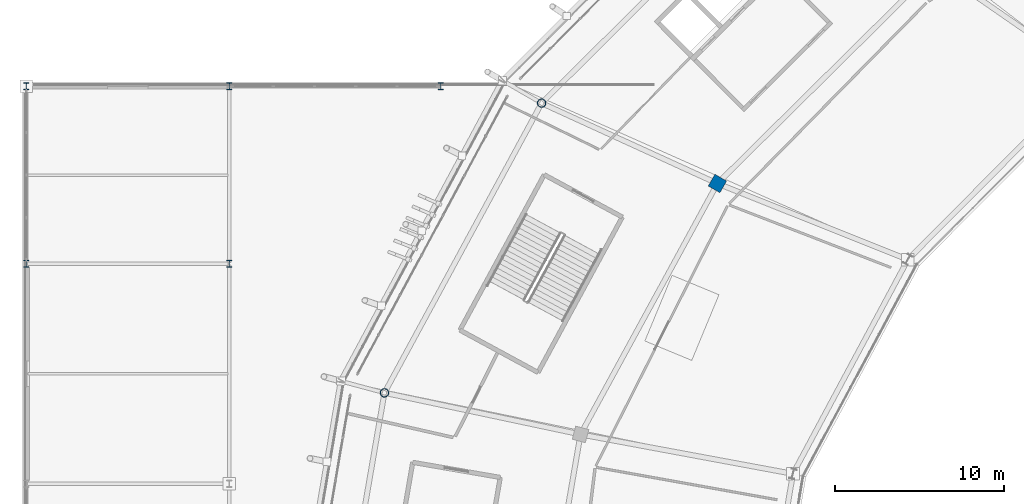
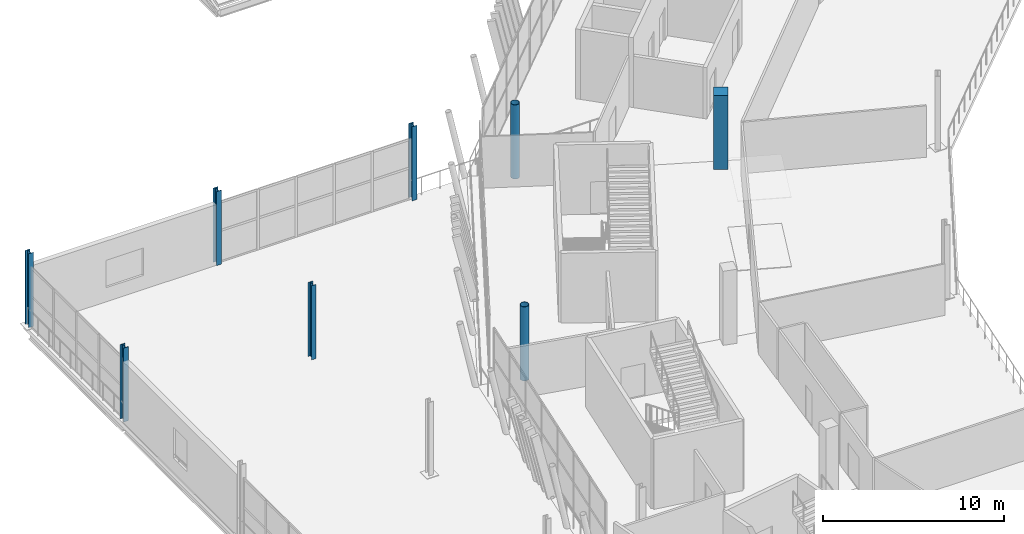
# One storey, part 9 of 179: 8 columns.
"""IFC4 building model written with IfcOpenShell, lengths in metres."""

from ifc_helpers import new_model, si_unit, direction, frame, origin, origin_2d, place, context, subcontext, project, spatial, rectangle, hollow_circle, i_section, extrude, material, material_profile, profile_set, type_object, element, save


model = new_model("IFC4")

# Units and contexts
model_context = context("Model", 3, precision=1e-05, world=origin(), true_north=direction((0.0, 1.0)))
body_context = subcontext(model_context, "Body", "Model", "MODEL_VIEW")
ifc_project = project(units=[si_unit("LENGTHUNIT", "METRE"), si_unit("AREAUNIT", "SQUARE_METRE"), si_unit("VOLUMEUNIT", "CUBIC_METRE"), si_unit("PLANEANGLEUNIT", "RADIAN"), si_unit("MASSUNIT", "GRAM", prefix="KILO")], contexts=[model_context])

# Site, building, storey
site_placement = place(None, origin())
site = spatial("IfcSite", under=ifc_project, at=site_placement, CompositionType="ELEMENT")
building_placement = place(site_placement, origin())
building = spatial("IfcBuilding", under=site, at=building_placement, Name="Zlatoyarsky Gate Stadium", CompositionType="ELEMENT")
storey_placement = place(building_placement, frame((0.0, 0.0, 10.60009765625)))
storey = spatial("IfcBuildingStorey", under=building, at=storey_placement, Name="L02", CompositionType="ELEMENT", Elevation=10.60009765625)

# Columns
ifc_material_1 = material(Name="Concrete C40/50", Category="concrete")
ifc_material_profile_1 = material_profile(ifc_material_1, rectangle(XDim=0.800048828125, YDim=0.800048828125, at=origin_2d()), Name="RC COL 800X800")
ifc_profile_set_1 = profile_set([ifc_material_profile_1], Name="Concrete C40/50")
column_type_1 = type_object("IfcColumnType", Name="CONCRETE COLUMN 800X800", PredefinedType="COLUMN", material=ifc_profile_set_1)
column_placement = place(storey_placement, frame((40.851806640625, 110.75, 0.0), z_axis=(0.0, 0.0, 1.0), x_axis=(-0.866025403784, 0.5, 0.0)))
element("IfcColumn", 1, at=column_placement, inside=storey, type_object=column_type_1, Name="Column RC-C80 RB-10 on L02", PredefinedType="COLUMN", context=body_context, shape_type="SweptSolid", body=[
    extrude(rectangle(XDim=0.800048828125, YDim=0.800048828125, at=origin_2d()), origin(), (0.0, 0.0, 1.0), 5.0),
])
ifc_material_2 = material(Name="Steel S355", Category="steel")
ifc_material_profile_2 = material_profile(ifc_material_2, i_section(OverallWidth=0.300048828125, OverallDepth=0.39990234375, WebThickness=0.013427734375, FlangeThickness=0.02392578125, FilletRadius=0.027099609375, at=origin_2d()), Name="HEB 400")
ifc_profile_set_2 = profile_set([ifc_material_profile_2], Name="Steel S355")
column_type_2 = type_object("IfcColumnType", Name="STEEL COLUMN HEB 400", PredefinedType="COLUMN", material=ifc_profile_set_2)
for number, where, z_axis, x_axis, name in (
    (2, (0.0, 106.0, 0.0), (0.0, 0.0, 1.0), (1.0, 0.0, 0.0), "Column ST-C400 WG-1-K on L02"),
    (3, (0.0, 116.5, 0.0), (0.0, 0.0, 1.0), (1.0, 0.0, 0.0), "Column ST-C400 WG-1-L on L02"),
    (4, (12.0, 106.0, 0.0), (0.0, 0.0, 1.0), (1.0, 0.0, 0.0), "Column ST-C400 WG-2-K on L02"),
    (5, (12.0, 116.5, 0.0), (0.0, 0.0, 1.0), (1.0, 0.0, 0.0), "Column ST-C400 WG-2-L on L02"),
    (6, (24.5, 116.5, 0.0), (0.0, 0.0, 1.0), (1.0, 0.0, 0.0), "Column ST-C400 WG-3-L on L02"),
):
    element("IfcColumn", number, at=place(storey_placement, frame(where, z_axis=z_axis, x_axis=x_axis)), inside=storey, type_object=column_type_2, Name=name, PredefinedType="COLUMN", context=body_context, shape_type="SweptSolid", body=[
        extrude(i_section(OverallWidth=0.300048828125, OverallDepth=0.39990234375, WebThickness=0.013427734375, FlangeThickness=0.02392578125, FilletRadius=0.027099609375, at=origin_2d()), origin(), (0.0, 0.0, 1.0), 5.0),
    ])
ifc_material_profile_3 = material_profile(ifc_material_2, hollow_circle(Radius=0.25390625, WallThickness=0.02490234375, at=origin_2d()), Name="CHS 508X25")
ifc_profile_set_3 = profile_set([ifc_material_profile_3], Name="Steel S355")
column_type_3 = type_object("IfcColumnType", Name="STEEL TUBULAR COLUMN CHS 508X25", PredefinedType="COLUMN", material=ifc_profile_set_3)
for number, where, z_axis, x_axis, name in (
    (7, (30.459716796875, 115.5, 0.0), (0.0, 0.0, 1.0), (-0.866025403784, 0.5, 0.0), "Column ST-C508 RC-10 on L02"),
    (8, (21.1689453125, 98.376220703125, 0.0), (0.0, 0.0, 1.0), (-0.965925826289, 0.258819045103, 0.0), "Column ST-C508 RC-11 on L02"),
):
    element("IfcColumn", number, at=place(storey_placement, frame(where, z_axis=z_axis, x_axis=x_axis)), inside=storey, type_object=column_type_3, Name=name, PredefinedType="COLUMN", context=body_context, shape_type="SweptSolid", body=[
        extrude(hollow_circle(Radius=0.25390625, WallThickness=0.02490234375, at=origin_2d()), origin(), (0.0, 0.0, 1.0), 5.0),
    ])

save(model, "model.ifc")
